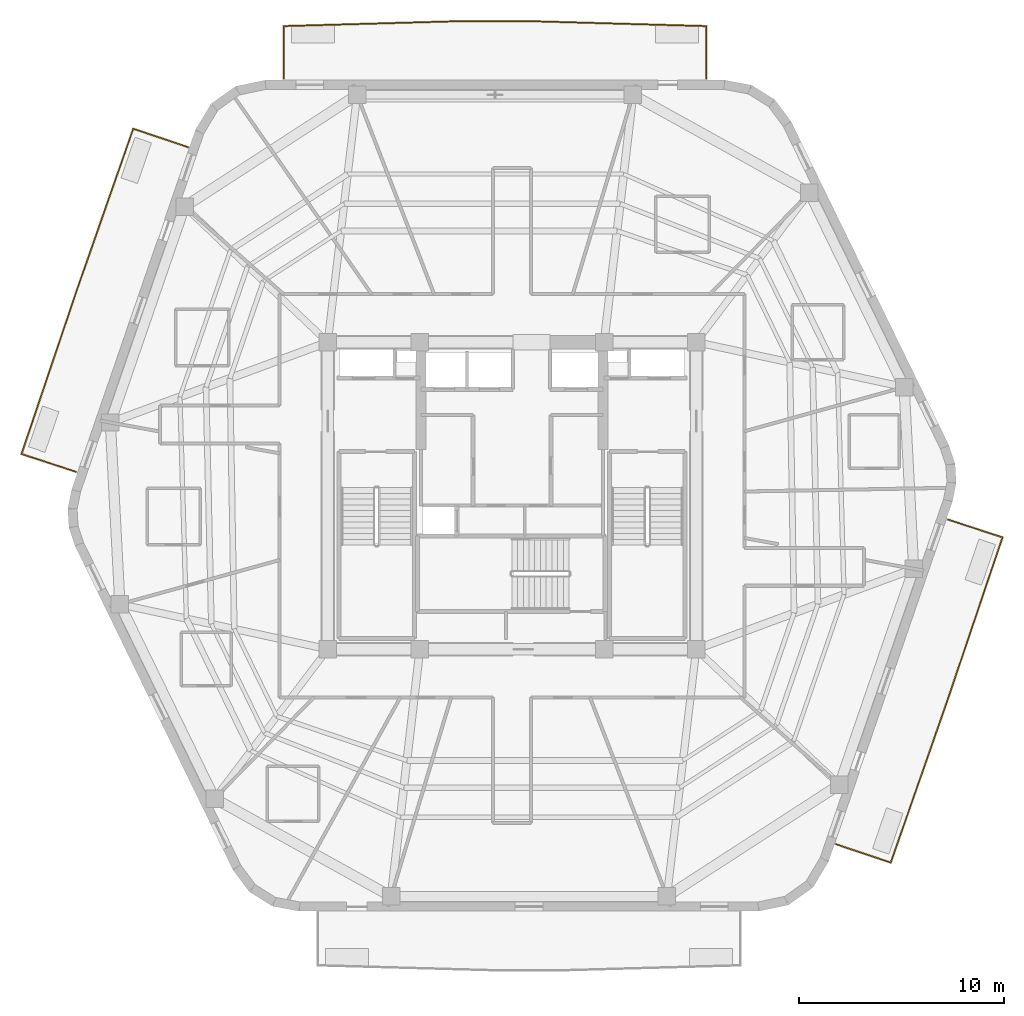
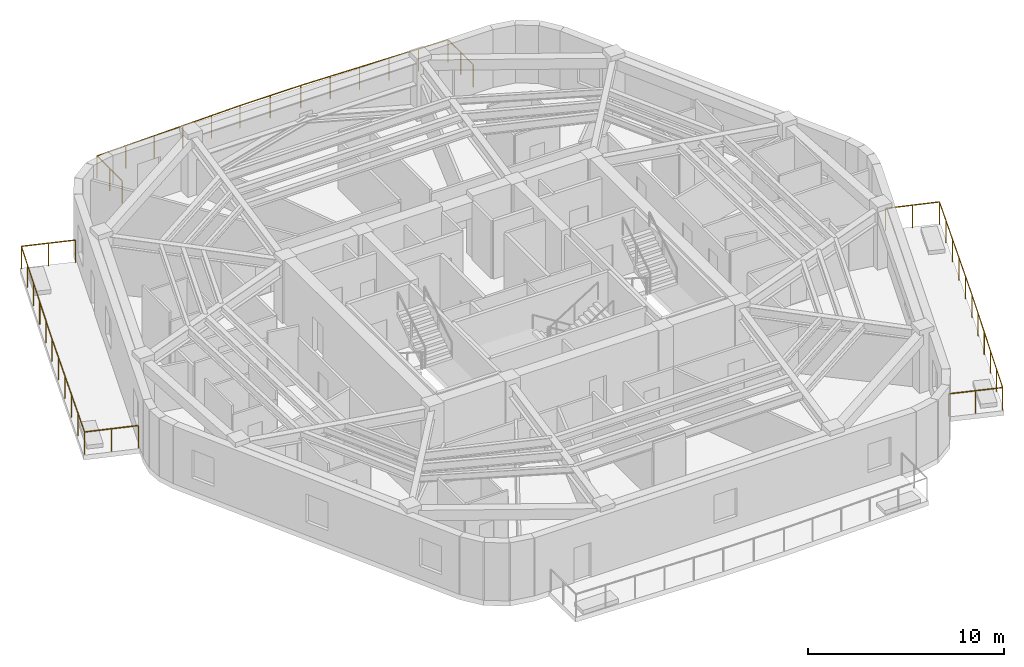
# One storey, part 9 of 9: 3 railings.
"""IFC4 building model written with IfcOpenShell, lengths in metres."""

from ifc_helpers import new_model, si_unit, direction, frame, origin, origin_2d, place, context, subcontext, project, spatial, rectangle, extrude, material, layer, layer_set, type_object, element, save


model = new_model("IFC4")

# Units and contexts
model_context = context("Model", 3, precision=1e-05, world=origin(), true_north=direction((0.0, 1.0)))
body_context = subcontext(model_context, "Body", "Model", "MODEL_VIEW")
ifc_project = project(units=[si_unit("LENGTHUNIT", "METRE"), si_unit("AREAUNIT", "SQUARE_METRE"), si_unit("VOLUMEUNIT", "CUBIC_METRE"), si_unit("PLANEANGLEUNIT", "RADIAN"), si_unit("MASSUNIT", "GRAM", prefix="KILO")], contexts=[model_context])

# Site, building, storey
site_placement = place(None, origin())
site = spatial("IfcSite", under=ifc_project, at=site_placement, CompositionType="ELEMENT")
building_placement = place(site_placement, origin())
building = spatial("IfcBuilding", under=site, at=building_placement, Name="Kilnhurst Terrace Hotel", CompositionType="ELEMENT")
storey_placement = place(building_placement, frame((0.0, 0.0, 297.60009765625)))
storey = spatial("IfcBuildingStorey", under=building, at=storey_placement, Name="L74", CompositionType="ELEMENT", Elevation=297.60009765625)

# Railings
ifc_material = material(Name="Laminated SentryGlas and Stainless Steel AISI 316L Balustrade", Category="steel")
ifc_layer = layer(ifc_material, 0.070068359375, Name="Laminated SentryGlas and Stainless Steel AISI 316L Balustrade")
ifc_layer_set = layer_set([ifc_layer], Name="Laminated SentryGlas and Stainless Steel AISI 316L Balustrade")
railing_type = type_object("IfcRailingType", Name="RLG-BAL-1420", PredefinedType="BALUSTRADE", material=ifc_layer_set)
railing_1_placement = place(storey_placement, frame((21.298828125, -1.166748046875, 0.0)))
element("IfcRailing", 1, at=railing_1_placement, inside=storey, type_object=railing_type, Name="L74 Exterior Terrace Guardrail BAL-L1B.1", PredefinedType="BALUSTRADE", context=body_context, shape_type="SweptSolid", body=[
    extrude(rectangle(XDim=0.048095703125, YDim=0.048095703125, at=origin_2d()), frame((0.0, 0.0, 1.39599609375), z_axis=(0.950394786916, -0.311046216827, 0.0), x_axis=(0.311046216827, 0.950394786916, 0.0)), (0.0, 0.0, 1.0), 2.80126953125),
    extrude(rectangle(XDim=0.048095703125, YDim=0.048095703125, at=origin_2d()), frame((2.662353515625, -0.871337890625, 1.39599609375), z_axis=(-0.319895813217, -0.94745272636, 0.0), x_axis=(0.94745272636, -0.319895813217, 0.0)), (0.0, 0.0, 1.0), 8.44091796875),
    extrude(rectangle(XDim=0.048095703125, YDim=0.048095703125, at=origin_2d()), frame((-0.037841796875, -8.86865234375, 1.39599609375), z_axis=(-0.329893619994, -0.944018113962, 0.0), x_axis=(0.944018113962, -0.329893619994, 0.0)), (0.0, 0.0, 1.0), 8.356689453125),
    extrude(rectangle(XDim=0.048095703125, YDim=0.048095703125, at=origin_2d()), frame((-2.794677734375, -16.757568359375, 1.39599609375), z_axis=(-0.948082201611, 0.318025374757, 0.0), x_axis=(-0.318025374757, -0.948082201611, 0.0)), (0.0, 0.0, 1.0), 2.810546875),
    extrude(rectangle(XDim=0.0419921875, YDim=0.0419921875, at=origin_2d()), origin(), (0.0, 0.0, 1.0), 1.371826171875),
    extrude(rectangle(XDim=0.0419921875, YDim=0.0419921875, at=origin_2d()), frame((1.3310546875, -0.435546875, 0.0)), (0.0, 0.0, 1.0), 1.371826171875),
    extrude(rectangle(XDim=0.0419921875, YDim=0.0419921875, at=origin_2d()), frame((2.662353515625, -0.871337890625, 0.0)), (0.0, 0.0, 1.0), 1.371826171875),
    extrude(rectangle(XDim=0.0419921875, YDim=0.0419921875, at=origin_2d()), frame((2.122314453125, -2.470703125, 0.0)), (0.0, 0.0, 1.0), 1.371826171875),
    extrude(rectangle(XDim=0.0419921875, YDim=0.0419921875, at=origin_2d()), frame((1.582275390625, -4.0703125, 0.0)), (0.0, 0.0, 1.0), 1.371826171875),
    extrude(rectangle(XDim=0.0419921875, YDim=0.0419921875, at=origin_2d()), frame((1.042236328125, -5.669677734375, 0.0)), (0.0, 0.0, 1.0), 1.371826171875),
    extrude(rectangle(XDim=0.0419921875, YDim=0.0419921875, at=origin_2d()), frame((0.502197265625, -7.269287109375, 0.0)), (0.0, 0.0, 1.0), 1.371826171875),
    extrude(rectangle(XDim=0.0419921875, YDim=0.0419921875, at=origin_2d()), frame((-0.037841796875, -8.86865234375, 0.0)), (0.0, 0.0, 1.0), 1.371826171875),
    extrude(rectangle(XDim=0.0419921875, YDim=0.0419921875, at=origin_2d()), frame((-0.589111328125, -10.446533203125, 0.0)), (0.0, 0.0, 1.0), 1.371826171875),
    extrude(rectangle(XDim=0.0419921875, YDim=0.0419921875, at=origin_2d()), frame((-1.140625, -12.024169921875, 0.0)), (0.0, 0.0, 1.0), 1.371826171875),
    extrude(rectangle(XDim=0.0419921875, YDim=0.0419921875, at=origin_2d()), frame((-1.69189453125, -13.60205078125, 0.0)), (0.0, 0.0, 1.0), 1.371826171875),
    extrude(rectangle(XDim=0.0419921875, YDim=0.0419921875, at=origin_2d()), frame((-2.243408203125, -15.1796875, 0.0)), (0.0, 0.0, 1.0), 1.371826171875),
    extrude(rectangle(XDim=0.0419921875, YDim=0.0419921875, at=origin_2d()), frame((-2.794677734375, -16.757568359375, 0.0)), (0.0, 0.0, 1.0), 1.371826171875),
    extrude(rectangle(XDim=0.0419921875, YDim=0.0419921875, at=origin_2d()), frame((-4.126953125, -16.310546875, 0.0)), (0.0, 0.0, 1.0), 1.371826171875),
    extrude(rectangle(XDim=0.0419921875, YDim=0.0419921875, at=origin_2d()), frame((-5.459228515625, -15.86376953125, 0.0)), (0.0, 0.0, 1.0), 1.371826171875),
])
railing_2_placement = place(storey_placement, frame((-11.151611328125, 20.3798828125, 0.0)))
element("IfcRailing", 2, at=railing_2_placement, inside=storey, type_object=railing_type, Name="L74 Exterior Terrace Guardrail BAL-L2A.1", PredefinedType="BALUSTRADE", context=body_context, shape_type="SweptSolid", body=[
    extrude(rectangle(XDim=0.048095703125, YDim=0.048095703125, at=origin_2d()), frame((0.0, 0.0, 1.39599609375), z_axis=(0.0, 1.0, 0.0), x_axis=(-1.0, 0.0, 0.0)), (0.0, 0.0, 1.0), 2.561767578125),
    extrude(rectangle(XDim=0.048095703125, YDim=0.048095703125, at=origin_2d()), frame((0.0, 2.561767578125, 1.39599609375), z_axis=(0.999610218954, 0.027917918323, 0.0), x_axis=(-0.027917918323, 0.999610218954, 0.0)), (0.0, 0.0, 1.0), 8.53515625),
    extrude(rectangle(XDim=0.048095703125, YDim=0.048095703125, at=origin_2d()), frame((8.53173828125, 2.800048828125, 1.39599609375), z_axis=(1.0, 0.0, 0.0), x_axis=(0.0, 1.0, 0.0)), (0.0, 0.0, 1.0), 3.577880859375),
    extrude(rectangle(XDim=0.048095703125, YDim=0.048095703125, at=origin_2d()), frame((12.109619140625, 2.800048828125, 1.39599609375), z_axis=(0.999610218954, -0.027917918323, 0.0), x_axis=(0.027917918323, 0.999610218954, 0.0)), (0.0, 0.0, 1.0), 8.53515625),
    extrude(rectangle(XDim=0.048095703125, YDim=0.048095703125, at=origin_2d()), frame((20.641357421875, 2.561767578125, 1.39599609375), z_axis=(0.0, -1.0, 0.0), x_axis=(1.0, 0.0, 0.0)), (0.0, 0.0, 1.0), 2.561767578125),
    extrude(rectangle(XDim=0.0419921875, YDim=0.0419921875, at=origin_2d()), origin(), (0.0, 0.0, 1.0), 1.371826171875),
    extrude(rectangle(XDim=0.0419921875, YDim=0.0419921875, at=origin_2d()), frame((0.0, 1.28076171875, 0.0)), (0.0, 0.0, 1.0), 1.371826171875),
    extrude(rectangle(XDim=0.0419921875, YDim=0.0419921875, at=origin_2d()), frame((0.0, 2.561767578125, 0.0)), (0.0, 0.0, 1.0), 1.371826171875),
    extrude(rectangle(XDim=0.0419921875, YDim=0.0419921875, at=origin_2d()), frame((1.706298828125, 2.609375, 0.0)), (0.0, 0.0, 1.0), 1.371826171875),
    extrude(rectangle(XDim=0.0419921875, YDim=0.0419921875, at=origin_2d()), frame((3.41259765625, 2.656982421875, 0.0)), (0.0, 0.0, 1.0), 1.371826171875),
    extrude(rectangle(XDim=0.0419921875, YDim=0.0419921875, at=origin_2d()), frame((5.119140625, 2.704833984375, 0.0)), (0.0, 0.0, 1.0), 1.371826171875),
    extrude(rectangle(XDim=0.0419921875, YDim=0.0419921875, at=origin_2d()), frame((6.825439453125, 2.75244140625, 0.0)), (0.0, 0.0, 1.0), 1.371826171875),
    extrude(rectangle(XDim=0.0419921875, YDim=0.0419921875, at=origin_2d()), frame((8.53173828125, 2.800048828125, 0.0)), (0.0, 0.0, 1.0), 1.371826171875),
    extrude(rectangle(XDim=0.0419921875, YDim=0.0419921875, at=origin_2d()), frame((10.32080078125, 2.800048828125, 0.0)), (0.0, 0.0, 1.0), 1.371826171875),
    extrude(rectangle(XDim=0.0419921875, YDim=0.0419921875, at=origin_2d()), frame((12.109619140625, 2.800048828125, 0.0)), (0.0, 0.0, 1.0), 1.371826171875),
    extrude(rectangle(XDim=0.0419921875, YDim=0.0419921875, at=origin_2d()), frame((13.81591796875, 2.75244140625, 0.0)), (0.0, 0.0, 1.0), 1.371826171875),
    extrude(rectangle(XDim=0.0419921875, YDim=0.0419921875, at=origin_2d()), frame((15.522216796875, 2.704833984375, 0.0)), (0.0, 0.0, 1.0), 1.371826171875),
    extrude(rectangle(XDim=0.0419921875, YDim=0.0419921875, at=origin_2d()), frame((17.228759765625, 2.656982421875, 0.0)), (0.0, 0.0, 1.0), 1.371826171875),
    extrude(rectangle(XDim=0.0419921875, YDim=0.0419921875, at=origin_2d()), frame((18.93505859375, 2.609375, 0.0)), (0.0, 0.0, 1.0), 1.371826171875),
    extrude(rectangle(XDim=0.0419921875, YDim=0.0419921875, at=origin_2d()), frame((20.641357421875, 2.561767578125, 0.0)), (0.0, 0.0, 1.0), 1.371826171875),
    extrude(rectangle(XDim=0.0419921875, YDim=0.0419921875, at=origin_2d()), frame((20.641357421875, 1.28076171875, 0.0)), (0.0, 0.0, 1.0), 1.371826171875),
    extrude(rectangle(XDim=0.0419921875, YDim=0.0419921875, at=origin_2d()), frame((20.641357421875, 0.0, 0.0)), (0.0, 0.0, 1.0), 1.371826171875),
])
railing_3_placement = place(storey_placement, frame((-21.298828125, 1.166748046875, 0.0)))
element("IfcRailing", 3, at=railing_3_placement, inside=storey, type_object=railing_type, Name="L74 Exterior Terrace Guardrail BAL-L2B.1", PredefinedType="BALUSTRADE", context=body_context, shape_type="SweptSolid", body=[
    extrude(rectangle(XDim=0.048095703125, YDim=0.048095703125, at=origin_2d()), frame((0.0, 0.0, 1.39599609375), z_axis=(-0.950394786916, 0.311046216827, 0.0), x_axis=(-0.311046216827, -0.950394786916, 0.0)), (0.0, 0.0, 1.0), 2.80126953125),
    extrude(rectangle(XDim=0.048095703125, YDim=0.048095703125, at=origin_2d()), frame((-2.662353515625, 0.871337890625, 1.39599609375), z_axis=(0.319895813217, 0.94745272636, 0.0), x_axis=(-0.94745272636, 0.319895813217, 0.0)), (0.0, 0.0, 1.0), 8.44091796875),
    extrude(rectangle(XDim=0.048095703125, YDim=0.048095703125, at=origin_2d()), frame((0.037841796875, 8.86865234375, 1.39599609375), z_axis=(0.329893619994, 0.944018113962, 0.0), x_axis=(-0.944018113962, 0.329893619994, 0.0)), (0.0, 0.0, 1.0), 8.356689453125),
    extrude(rectangle(XDim=0.048095703125, YDim=0.048095703125, at=origin_2d()), frame((2.794677734375, 16.757568359375, 1.39599609375), z_axis=(0.948082201611, -0.318025374757, 0.0), x_axis=(0.318025374757, 0.948082201611, 0.0)), (0.0, 0.0, 1.0), 2.810546875),
    extrude(rectangle(XDim=0.0419921875, YDim=0.0419921875, at=origin_2d()), origin(), (0.0, 0.0, 1.0), 1.371826171875),
    extrude(rectangle(XDim=0.0419921875, YDim=0.0419921875, at=origin_2d()), frame((-1.3310546875, 0.435546875, 0.0)), (0.0, 0.0, 1.0), 1.371826171875),
    extrude(rectangle(XDim=0.0419921875, YDim=0.0419921875, at=origin_2d()), frame((-2.662353515625, 0.871337890625, 0.0)), (0.0, 0.0, 1.0), 1.371826171875),
    extrude(rectangle(XDim=0.0419921875, YDim=0.0419921875, at=origin_2d()), frame((-2.122314453125, 2.470703125, 0.0)), (0.0, 0.0, 1.0), 1.371826171875),
    extrude(rectangle(XDim=0.0419921875, YDim=0.0419921875, at=origin_2d()), frame((-1.582275390625, 4.0703125, 0.0)), (0.0, 0.0, 1.0), 1.371826171875),
    extrude(rectangle(XDim=0.0419921875, YDim=0.0419921875, at=origin_2d()), frame((-1.042236328125, 5.669677734375, 0.0)), (0.0, 0.0, 1.0), 1.371826171875),
    extrude(rectangle(XDim=0.0419921875, YDim=0.0419921875, at=origin_2d()), frame((-0.502197265625, 7.269287109375, 0.0)), (0.0, 0.0, 1.0), 1.371826171875),
    extrude(rectangle(XDim=0.0419921875, YDim=0.0419921875, at=origin_2d()), frame((0.037841796875, 8.86865234375, 0.0)), (0.0, 0.0, 1.0), 1.371826171875),
    extrude(rectangle(XDim=0.0419921875, YDim=0.0419921875, at=origin_2d()), frame((0.589111328125, 10.446533203125, 0.0)), (0.0, 0.0, 1.0), 1.371826171875),
    extrude(rectangle(XDim=0.0419921875, YDim=0.0419921875, at=origin_2d()), frame((1.140625, 12.024169921875, 0.0)), (0.0, 0.0, 1.0), 1.371826171875),
    extrude(rectangle(XDim=0.0419921875, YDim=0.0419921875, at=origin_2d()), frame((1.69189453125, 13.60205078125, 0.0)), (0.0, 0.0, 1.0), 1.371826171875),
    extrude(rectangle(XDim=0.0419921875, YDim=0.0419921875, at=origin_2d()), frame((2.243408203125, 15.1796875, 0.0)), (0.0, 0.0, 1.0), 1.371826171875),
    extrude(rectangle(XDim=0.0419921875, YDim=0.0419921875, at=origin_2d()), frame((2.794677734375, 16.757568359375, 0.0)), (0.0, 0.0, 1.0), 1.371826171875),
    extrude(rectangle(XDim=0.0419921875, YDim=0.0419921875, at=origin_2d()), frame((4.126953125, 16.310546875, 0.0)), (0.0, 0.0, 1.0), 1.371826171875),
    extrude(rectangle(XDim=0.0419921875, YDim=0.0419921875, at=origin_2d()), frame((5.459228515625, 15.86376953125, 0.0)), (0.0, 0.0, 1.0), 1.371826171875),
])

save(model, "model.ifc")
